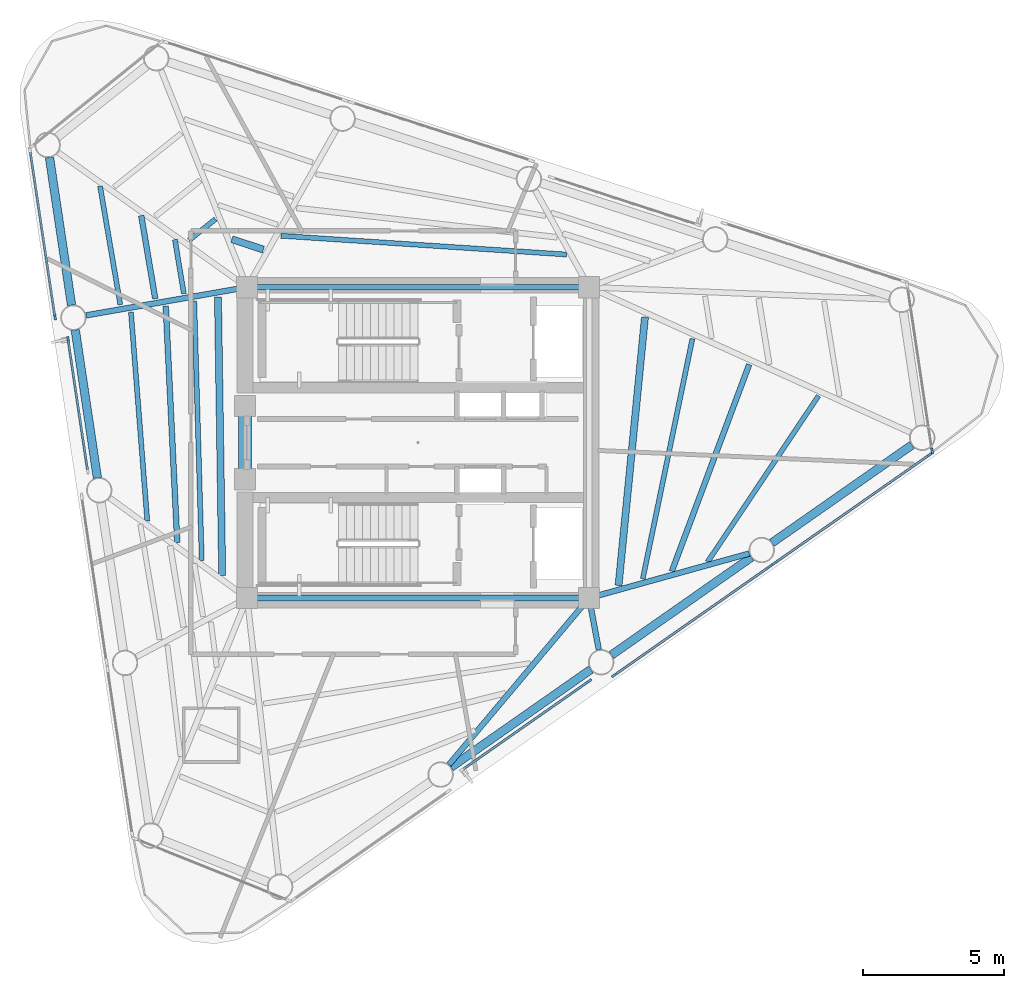
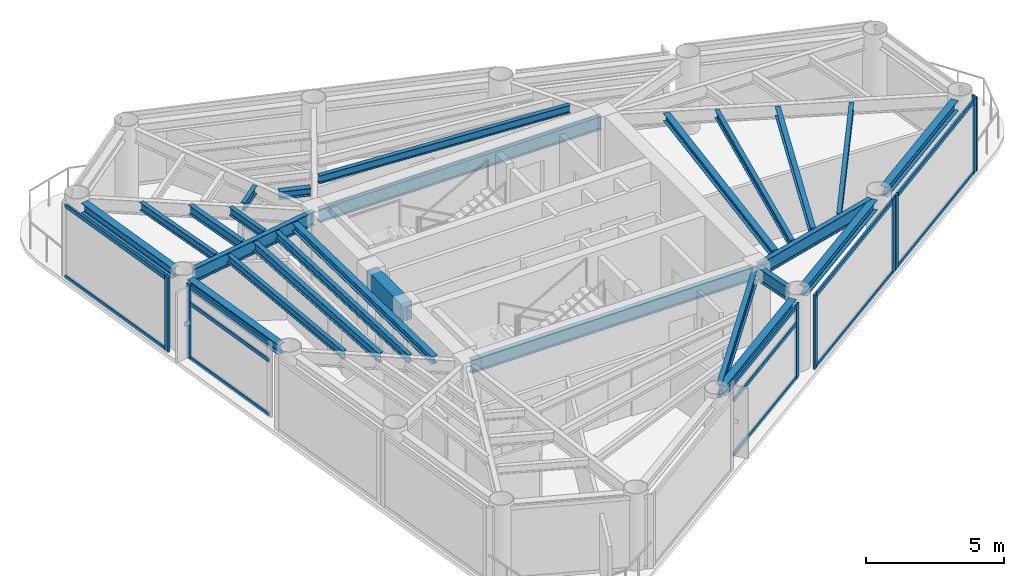
# One storey, part 2 of 9: 26 beams, 20 members, 6 elements without a shape of their own.
"""IFC4 building model written with IfcOpenShell, lengths in metres."""

from ifc_helpers import new_model, si_unit, direction, frame, origin, origin_2d, place, context, subcontext, project, spatial, rectangle, i_section, extrude, source, transform, mapped, material, layer, layer_set, material_profile, profile_set, type_object, element, aggregate, save


model = new_model("IFC4")

# Units and contexts
model_context = context("Model", 3, precision=1e-05, world=origin(), true_north=direction((0.0, 1.0)))
body_context = subcontext(model_context, "Body", "Model", "MODEL_VIEW")
ifc_project = project(units=[si_unit("LENGTHUNIT", "METRE"), si_unit("AREAUNIT", "SQUARE_METRE"), si_unit("VOLUMEUNIT", "CUBIC_METRE"), si_unit("PLANEANGLEUNIT", "RADIAN"), si_unit("MASSUNIT", "GRAM", prefix="KILO")], contexts=[model_context])

# Site, building, storey
site_placement = place(None, origin())
site = spatial("IfcSite", under=ifc_project, at=site_placement, CompositionType="ELEMENT")
building_placement = place(site_placement, origin())
building = spatial("IfcBuilding", under=site, at=building_placement, Name="Yunling Apex Tower", CompositionType="ELEMENT")
storey_placement = place(building_placement, frame((0.0, 0.0, 271.14990234375)))
storey = spatial("IfcBuildingStorey", under=building, at=storey_placement, Name="L66", CompositionType="ELEMENT", Elevation=271.14990234375)

# Beams
ifc_material_1 = material(Name="Concrete C40", Category="concrete")
ifc_material_profile_1 = material_profile(ifc_material_1, rectangle(XDim=0.449951171875, YDim=0.800048828125, at=origin_2d()))
ifc_profile_set_1 = profile_set([ifc_material_profile_1], Name="Concrete C40")
beam_type_1 = type_object("IfcBeamType", Name="BC-CPL-3", PredefinedType="BEAM", material=ifc_profile_set_1)
shared_shape_1 = source(origin(), body_context, "Body", "SweptSolid", [
    extrude(rectangle(XDim=0.449951171875, YDim=0.800048828125, at=origin_2d()), origin(), (0.0, 0.0, 1.0), 2.5),
])
beam_1_placement = place(storey_placement, frame((-6.125, -1.25, 2.820068359375), z_axis=(0.0, 1.0, 0.0), x_axis=(-1.0, 0.0, 0.0)))
element("IfcBeam", 1, at=beam_1_placement, inside=storey, type_object=beam_type_1, Name="L66 Core West Portal Coupling Beam", PredefinedType="BEAM", context=body_context, shape_type="MappedRepresentation", body=[
    mapped(shared_shape_1, transform((0.0, 0.0, 0.0), scale=1.0)),
])
ifc_material_2 = material(Name="Steel Q355B", Category="steel")
ifc_material_profile_2 = material_profile(ifc_material_2, i_section(OverallWidth=0.199951171875, OverallDepth=0.60009765625, WebThickness=0.010986328125, FlangeThickness=0.01708984375, FilletRadius=0.02197265625, at=origin_2d()))
ifc_profile_set_2 = profile_set([ifc_material_profile_2], Name="Steel Q355B")
beam_type_2 = type_object("IfcBeamType", Name="BG-PRI-5", PredefinedType="USERDEFINED", material=ifc_profile_set_2)
shared_shape_2 = source(origin(), body_context, "Body", "SweptSolid", [
    extrude(i_section(OverallWidth=0.199951171875, OverallDepth=0.60009765625, WebThickness=0.010986328125, FlangeThickness=0.01708984375, FilletRadius=0.02197265625, at=origin_2d()), origin(), (0.0, 0.0, 1.0), 11.7998046875),
])
for number, where, z_axis, x_axis, name in (
    (2, (-5.89990234375, -5.5, 2.920166015625), (1.0, 0.0, 0.0), (0.0, 1.0, 0.0), "L66 Core Ring Tie Beam 1"),
    (3, (5.89990234375, 5.5, 2.920166015625), (-1.0, 0.0, 0.0), (0.0, -1.0, 0.0), "L66 Core Ring Tie Beam 3"),
):
    element("IfcBeam", number, at=place(storey_placement, frame(where, z_axis=z_axis, x_axis=x_axis)), inside=storey, type_object=beam_type_2, Name=name, ObjectType="GIRDER", PredefinedType="USERDEFINED", context=body_context, shape_type="MappedRepresentation", body=[
        mapped(shared_shape_2, transform((0.0, 0.0, 0.0), scale=1.0)),
    ])
ifc_material_profile_3 = material_profile(ifc_material_2, i_section(OverallWidth=0.300048828125, OverallDepth=0.43994140625, WebThickness=0.010986328125, FlangeThickness=0.01806640625, FilletRadius=0.02197265625, at=origin_2d()))
ifc_profile_set_3 = profile_set([ifc_material_profile_3], Name="Steel Q355B")
beam_type_3 = type_object("IfcBeamType", Name="BP-SPN-3", PredefinedType="SPANDREL", material=ifc_profile_set_3)
shared_shape_3 = source(origin(), body_context, "Body", "SweptSolid", [
    extrude(i_section(OverallWidth=0.300048828125, OverallDepth=0.43994140625, WebThickness=0.010986328125, FlangeThickness=0.01806640625, FilletRadius=0.02197265625, at=origin_2d()), origin(), (0.0, 0.0, 1.0), 6.043701171875),
])
for number, where, z_axis, x_axis, name in (
    (4, (1.160888671875, -11.490478515625, 3.0), (0.819546828705, 0.5730122124, 0.0), (-0.5730122124, 0.819546828705, 0.0), "L66 Perimeter Spandrel Beam 2"),
    (5, (6.841796875, -7.5185546875, 3.0), (0.819546828705, 0.5730122124, 0.0), (-0.5730122124, 0.819546828705, 0.0), "L66 Perimeter Spandrel Beam 3"),
    (6, (12.522705078125, -3.546630859375, 3.0), (0.819546828705, 0.5730122124, 0.0), (-0.5730122124, 0.819546828705, 0.0), "L66 Perimeter Spandrel Beam 4"),
):
    element("IfcBeam", number, at=place(storey_placement, frame(where, z_axis=z_axis, x_axis=x_axis)), inside=storey, type_object=beam_type_3, Name=name, PredefinedType="SPANDREL", context=body_context, shape_type="MappedRepresentation", body=[
        mapped(shared_shape_3, transform((0.0, 0.0, 0.0), scale=1.0)),
    ])
shared_shape_4 = source(origin(), body_context, "Body", "SweptSolid", [
    extrude(i_section(OverallWidth=0.300048828125, OverallDepth=0.43994140625, WebThickness=0.010986328125, FlangeThickness=0.01806640625, FilletRadius=0.02197265625, at=origin_2d()), origin(), (0.0, 0.0, 1.0), 5.289306640625),
])
for number, where, z_axis, x_axis, name in (
    (7, (-13.044189453125, 10.09326171875, 3.0), (0.147841619944, -0.989011049186, 0.0), (0.989011049186, 0.147841619944, 0.0), "L66 Perimeter Spandrel Beam 11"),
    (8, (-12.131103515625, 3.98388671875, 3.0), (0.147796471114, -0.989017797174, 0.0), (0.989017797174, 0.147796471114, 0.0), "L66 Perimeter Spandrel Beam 12"),
):
    element("IfcBeam", number, at=place(storey_placement, frame(where, z_axis=z_axis, x_axis=x_axis)), inside=storey, type_object=beam_type_3, Name=name, PredefinedType="SPANDREL", context=body_context, shape_type="MappedRepresentation", body=[
        mapped(shared_shape_4, transform((0.0, 0.0, 0.0), scale=1.0)),
    ])
shared_shape_5 = source(origin(), body_context, "Body", "SweptSolid", [
    extrude(i_section(OverallWidth=0.199951171875, OverallDepth=0.60009765625, WebThickness=0.010986328125, FlangeThickness=0.01708984375, FilletRadius=0.02197265625, at=origin_2d()), origin(), (0.0, 0.0, 1.0), 7.622314453125),
])
beam_2_placement = place(storey_placement, frame((1.091796875, -11.394287109375, 2.920166015625), z_axis=(0.64373126237, 0.765251633025, 0.0), x_axis=(-0.765251633025, 0.64373126237, 0.0)))
element("IfcBeam", 9, at=beam_2_placement, inside=storey, type_object=beam_type_2, Name="L66 Radial Primary Girder R02", ObjectType="GIRDER", PredefinedType="USERDEFINED", context=body_context, shape_type="MappedRepresentation", body=[
    mapped(shared_shape_5, transform((0.0, 0.0, 0.0), scale=1.0)),
])
shared_shape_6 = source(origin(), body_context, "Body", "SweptSolid", [
    extrude(i_section(OverallWidth=0.199951171875, OverallDepth=0.60009765625, WebThickness=0.010986328125, FlangeThickness=0.01708984375, FilletRadius=0.02197265625, at=origin_2d()), origin(), (0.0, 0.0, 1.0), 1.775146484375),
])
beam_3_placement = place(storey_placement, frame((6.393310546875, -7.322998046875, 2.920166015625), z_axis=(-0.185127194989, 0.982714567754, 0.0), x_axis=(-0.982714567754, -0.185127194989, 0.0)))
element("IfcBeam", 10, at=beam_3_placement, inside=storey, type_object=beam_type_2, Name="L66 Radial Primary Girder R03", ObjectType="GIRDER", PredefinedType="USERDEFINED", context=body_context, shape_type="MappedRepresentation", body=[
    mapped(shared_shape_6, transform((0.0, 0.0, 0.0), scale=1.0)),
])
shared_shape_7 = source(origin(), body_context, "Body", "SweptSolid", [
    extrude(i_section(OverallWidth=0.199951171875, OverallDepth=0.60009765625, WebThickness=0.010986328125, FlangeThickness=0.01708984375, FilletRadius=0.02197265625, at=origin_2d()), origin(), (0.0, 0.0, 1.0), 5.802490234375),
])
beam_4_placement = place(storey_placement, frame((11.717529296875, -3.923828125, 2.920166015625), z_axis=(-0.963437091081, -0.267934640405, 0.0), x_axis=(0.267934640405, -0.963437091081, 0.0)))
element("IfcBeam", 11, at=beam_4_placement, inside=storey, type_object=beam_type_2, Name="L66 Radial Primary Girder R04", ObjectType="GIRDER", PredefinedType="USERDEFINED", context=body_context, shape_type="MappedRepresentation", body=[
    mapped(shared_shape_7, transform((0.0, 0.0, 0.0), scale=1.0)),
])
shared_shape_8 = source(origin(), body_context, "Body", "SweptSolid", [
    extrude(i_section(OverallWidth=0.199951171875, OverallDepth=0.60009765625, WebThickness=0.010986328125, FlangeThickness=0.01708984375, FilletRadius=0.02197265625, at=origin_2d()), origin(), (0.0, 0.0, 1.0), 5.7021484375),
])
beam_5_placement = place(storey_placement, frame((-11.74560546875, 4.501953125, 2.920166015625), z_axis=(0.984994459553, 0.172585963073, 0.0), x_axis=(-0.172585963073, 0.984994459553, 0.0)))
element("IfcBeam", 12, at=beam_5_placement, inside=storey, type_object=beam_type_2, Name="L66 Radial Primary Girder R12", ObjectType="GIRDER", PredefinedType="USERDEFINED", context=body_context, shape_type="MappedRepresentation", body=[
    mapped(shared_shape_8, transform((0.0, 0.0, 0.0), scale=1.0)),
])
ifc_material_profile_4 = material_profile(ifc_material_2, i_section(OverallWidth=0.199951171875, OverallDepth=0.39990234375, WebThickness=0.008056640625, FlangeThickness=0.012939453125, FilletRadius=0.01611328125, at=origin_2d()))
ifc_profile_set_4 = profile_set([ifc_material_profile_4], Name="Steel Q355B")
beam_type_4 = type_object("IfcBeamType", Name="BS-SEC-4", PredefinedType="BEAM", material=ifc_profile_set_4)
shared_shape_9 = source(origin(), body_context, "Body", "SweptSolid", [
    extrude(i_section(OverallWidth=0.199951171875, OverallDepth=0.39990234375, WebThickness=0.008056640625, FlangeThickness=0.012939453125, FilletRadius=0.01611328125, at=origin_2d()), origin(), (0.0, 0.0, 1.0), 7.810546875),
])
beam_6_placement = place(storey_placement, frame((8.978515625, -4.551513671875, 3.02001953125), z_axis=(0.350554744198, 0.936542242144, 0.0), x_axis=(-0.936542242144, 0.350554744198, 0.0)))
element("IfcBeam", 13, at=beam_6_placement, inside=storey, type_object=beam_type_4, Name="L66 Composite Floor Beam BS-4", PredefinedType="BEAM", context=body_context, shape_type="MappedRepresentation", body=[
    mapped(shared_shape_9, transform((0.0, 0.0, 0.0), scale=1.0)),
])
ifc_material_profile_5 = material_profile(ifc_material_2, i_section(OverallWidth=0.175048828125, OverallDepth=0.35009765625, WebThickness=0.007080078125, FlangeThickness=0.010986328125, FilletRadius=0.013916015625, at=origin_2d()))
ifc_profile_set_5 = profile_set([ifc_material_profile_5], Name="Steel Q355B")
beam_type_5 = type_object("IfcBeamType", Name="BJ-JST-1", PredefinedType="JOIST", material=ifc_profile_set_5)
shared_shape_10 = source(origin(), body_context, "Body", "SweptSolid", [
    extrude(i_section(OverallWidth=0.175048828125, OverallDepth=0.35009765625, WebThickness=0.007080078125, FlangeThickness=0.010986328125, FilletRadius=0.013916015625, at=origin_2d()), origin(), (0.0, 0.0, 1.0), 7.07373046875),
])
beam_7_placement = place(storey_placement, frame((10.240966796875, -4.22607421875, 3.045166015625), z_axis=(0.555384960756, 0.831593377418, 0.0), x_axis=(-0.831593377418, 0.555384960756, 0.0)))
element("IfcBeam", 14, at=beam_7_placement, inside=storey, type_object=beam_type_5, Name="L66 Composite Floor Joist BJ1-4", PredefinedType="JOIST", context=body_context, shape_type="MappedRepresentation", body=[
    mapped(shared_shape_10, transform((0.0, 0.0, 0.0), scale=1.0)),
])
shared_shape_11 = source(origin(), body_context, "Body", "SweptSolid", [
    extrude(i_section(OverallWidth=0.175048828125, OverallDepth=0.35009765625, WebThickness=0.007080078125, FlangeThickness=0.010986328125, FilletRadius=0.013916015625, at=origin_2d()), origin(), (0.0, 0.0, 1.0), 8.68017578125),
])
beam_8_placement = place(storey_placement, frame((7.948486328125, -4.824462890625, 3.045166015625), z_axis=(0.202510736311, 0.97928004252, 0.0), x_axis=(-0.97928004252, 0.202510736311, 0.0)))
element("IfcBeam", 15, at=beam_8_placement, inside=storey, type_object=beam_type_5, Name="L66 Composite Floor Joist BJ3-4", PredefinedType="JOIST", context=body_context, shape_type="MappedRepresentation", body=[
    mapped(shared_shape_11, transform((0.0, 0.0, 0.0), scale=1.0)),
])
ifc_material_profile_6 = material_profile(ifc_material_2, i_section(OverallWidth=0.25, OverallDepth=0.340087890625, WebThickness=0.009033203125, FlangeThickness=0.013916015625, FilletRadius=0.01806640625, at=origin_2d()))
ifc_profile_set_6 = profile_set([ifc_material_profile_6], Name="Steel Q355B")
beam_type_6 = type_object("IfcBeamType", Name="BJ-JST-2", PredefinedType="JOIST", material=ifc_profile_set_6)
shared_shape_12 = source(origin(), body_context, "Body", "SweptSolid", [
    extrude(i_section(OverallWidth=0.25, OverallDepth=0.340087890625, WebThickness=0.009033203125, FlangeThickness=0.013916015625, FilletRadius=0.01806640625, at=origin_2d()), origin(), (0.0, 0.0, 1.0), 9.54052734375),
])
beam_9_placement = place(storey_placement, frame((7.093017578125, -5.05517578125, 3.050048828125), z_axis=(0.098008759691, 0.995185552057, 0.0), x_axis=(-0.995185552057, 0.098008759691, 0.0)))
element("IfcBeam", 16, at=beam_9_placement, inside=storey, type_object=beam_type_6, Name="L66 Composite Floor Joist BJ2-4", PredefinedType="JOIST", context=body_context, shape_type="MappedRepresentation", body=[
    mapped(shared_shape_12, transform((0.0, 0.0, 0.0), scale=1.0)),
])
shared_shape_13 = source(origin(), body_context, "Body", "SweptSolid", [
    extrude(i_section(OverallWidth=0.175048828125, OverallDepth=0.35009765625, WebThickness=0.007080078125, FlangeThickness=0.010986328125, FilletRadius=0.013916015625, at=origin_2d()), origin(), (0.0, 0.0, 1.0), 10.130615234375),
])
beam_10_placement = place(storey_placement, frame((5.254150390625, 6.654541015625, 3.045166015625), z_axis=(-0.997852458327, 0.065501690135, 0.0), x_axis=(-0.065501690135, -0.997852458327, 0.0)))
element("IfcBeam", 17, at=beam_10_placement, inside=storey, type_object=beam_type_5, Name="L66 Composite Floor Joist BJ3-8", PredefinedType="JOIST", context=body_context, shape_type="MappedRepresentation", body=[
    mapped(shared_shape_13, transform((0.0, 0.0, 0.0), scale=1.0)),
])
shared_shape_14 = source(origin(), body_context, "Body", "SweptSolid", [
    extrude(i_section(OverallWidth=0.25, OverallDepth=0.340087890625, WebThickness=0.009033203125, FlangeThickness=0.013916015625, FilletRadius=0.01806640625, at=origin_2d()), origin(), (0.0, 0.0, 1.0), 1.1728515625),
])
beam_11_placement = place(storey_placement, frame((-5.4775390625, 6.8291015625, 3.050048828125), z_axis=(-0.949595193506, 0.31347881662, 0.0), x_axis=(-0.31347881662, -0.949595193506, 0.0)))
element("IfcBeam", 18, at=beam_11_placement, inside=storey, type_object=beam_type_6, Name="L66 Composite Floor Joist BJ2-9", PredefinedType="JOIST", context=body_context, shape_type="MappedRepresentation", body=[
    mapped(shared_shape_14, transform((0.0, 0.0, 0.0), scale=1.0)),
])
shared_shape_15 = source(origin(), body_context, "Body", "SweptSolid", [
    extrude(i_section(OverallWidth=0.175048828125, OverallDepth=0.35009765625, WebThickness=0.007080078125, FlangeThickness=0.010986328125, FilletRadius=0.013916015625, at=origin_2d()), origin(), (0.0, 0.0, 1.0), 1.2021484375),
])
beam_12_placement = place(storey_placement, frame((-7.169921875, 7.9072265625, 3.045166015625), z_axis=(-0.781225299788, -0.624249173785, 0.0), x_axis=(0.624249173785, -0.781225299788, 0.0)))
element("IfcBeam", 19, at=beam_12_placement, inside=storey, type_object=beam_type_5, Name="L66 Composite Floor Joist BJ3-10", PredefinedType="JOIST", context=body_context, shape_type="MappedRepresentation", body=[
    mapped(shared_shape_15, transform((0.0, 0.0, 0.0), scale=1.0)),
])
shared_shape_16 = source(origin(), body_context, "Body", "SweptSolid", [
    extrude(i_section(OverallWidth=0.199951171875, OverallDepth=0.39990234375, WebThickness=0.008056640625, FlangeThickness=0.012939453125, FilletRadius=0.01611328125, at=origin_2d()), origin(), (0.0, 0.0, 1.0), 2.980712890625),
])
beam_13_placement = place(storey_placement, frame((-9.796630859375, 8.031982421875, 3.02001953125), z_axis=(0.166351127682, -0.986066581078, 0.0), x_axis=(0.986066581078, 0.166351127682, 0.0)))
element("IfcBeam", 20, at=beam_13_placement, inside=storey, type_object=beam_type_4, Name="L66 Composite Floor Beam BS-11", PredefinedType="BEAM", context=body_context, shape_type="MappedRepresentation", body=[
    mapped(shared_shape_16, transform((0.0, 0.0, 0.0), scale=1.0)),
])
shared_shape_17 = source(origin(), body_context, "Body", "SweptSolid", [
    extrude(i_section(OverallWidth=0.175048828125, OverallDepth=0.35009765625, WebThickness=0.007080078125, FlangeThickness=0.010986328125, FilletRadius=0.013916015625, at=origin_2d()), origin(), (0.0, 0.0, 1.0), 4.2548828125),
])
beam_14_placement = place(storey_placement, frame((-11.253173828125, 9.0703125, 3.045166015625), z_axis=(0.168352217176, -0.985726904864, 0.0), x_axis=(0.985726904864, 0.168352217176, 0.0)))
element("IfcBeam", 21, at=beam_14_placement, inside=storey, type_object=beam_type_5, Name="L66 Composite Floor Joist BJ1-11", PredefinedType="JOIST", context=body_context, shape_type="MappedRepresentation", body=[
    mapped(shared_shape_17, transform((0.0, 0.0, 0.0), scale=1.0)),
])
shared_shape_18 = source(origin(), body_context, "Body", "SweptSolid", [
    extrude(i_section(OverallWidth=0.175048828125, OverallDepth=0.35009765625, WebThickness=0.007080078125, FlangeThickness=0.010986328125, FilletRadius=0.013916015625, at=origin_2d()), origin(), (0.0, 0.0, 1.0), 1.93798828125),
])
beam_15_placement = place(storey_placement, frame((-8.605224609375, 7.18212890625, 3.045166015625), z_axis=(0.163009711077, -0.986624464573, 0.0), x_axis=(0.986624464573, 0.163009711077, 0.0)))
element("IfcBeam", 22, at=beam_15_placement, inside=storey, type_object=beam_type_5, Name="L66 Composite Floor Joist BJ3-11", PredefinedType="JOIST", context=body_context, shape_type="MappedRepresentation", body=[
    mapped(shared_shape_18, transform((0.0, 0.0, 0.0), scale=1.0)),
])
shared_shape_19 = source(origin(), body_context, "Body", "SweptSolid", [
    extrude(i_section(OverallWidth=0.199951171875, OverallDepth=0.39990234375, WebThickness=0.008056640625, FlangeThickness=0.012939453125, FilletRadius=0.01611328125, at=origin_2d()), origin(), (0.0, 0.0, 1.0), 8.388916015625),
])
beam_16_placement = place(storey_placement, frame((-8.929443359375, 4.834228515625, 3.02001953125), z_axis=(0.048573134041, -0.998819628687, 0.0), x_axis=(0.998819628687, 0.048573134041, 0.0)))
element("IfcBeam", 23, at=beam_16_placement, inside=storey, type_object=beam_type_4, Name="L66 Composite Floor Beam BS-12", PredefinedType="BEAM", context=body_context, shape_type="MappedRepresentation", body=[
    mapped(shared_shape_19, transform((0.0, 0.0, 0.0), scale=1.0)),
])
shared_shape_20 = source(origin(), body_context, "Body", "SweptSolid", [
    extrude(i_section(OverallWidth=0.175048828125, OverallDepth=0.35009765625, WebThickness=0.007080078125, FlangeThickness=0.010986328125, FilletRadius=0.013916015625, at=origin_2d()), origin(), (0.0, 0.0, 1.0), 7.416259765625),
])
beam_17_placement = place(storey_placement, frame((-10.160400390625, 4.6181640625, 3.045166015625), z_axis=(0.077952594819, -0.996957066759, 0.0), x_axis=(0.996957066759, 0.077952594819, 0.0)))
element("IfcBeam", 24, at=beam_17_placement, inside=storey, type_object=beam_type_5, Name="L66 Composite Floor Joist BJ1-12", PredefinedType="JOIST", context=body_context, shape_type="MappedRepresentation", body=[
    mapped(shared_shape_20, transform((0.0, 0.0, 0.0), scale=1.0)),
])
shared_shape_21 = source(origin(), body_context, "Body", "SweptSolid", [
    extrude(i_section(OverallWidth=0.175048828125, OverallDepth=0.35009765625, WebThickness=0.007080078125, FlangeThickness=0.010986328125, FilletRadius=0.013916015625, at=origin_2d()), origin(), (0.0, 0.0, 1.0), 9.189208984375),
])
beam_18_placement = place(storey_placement, frame((-7.92138671875, 5.01123046875, 3.045166015625), z_axis=(0.028986034605, -0.999579816622, 0.0), x_axis=(0.999579816622, 0.028986034605, 0.0)))
element("IfcBeam", 25, at=beam_18_placement, inside=storey, type_object=beam_type_5, Name="L66 Composite Floor Joist BJ3-12", PredefinedType="JOIST", context=body_context, shape_type="MappedRepresentation", body=[
    mapped(shared_shape_21, transform((0.0, 0.0, 0.0), scale=1.0)),
])
shared_shape_22 = source(origin(), body_context, "Body", "SweptSolid", [
    extrude(i_section(OverallWidth=0.25, OverallDepth=0.340087890625, WebThickness=0.009033203125, FlangeThickness=0.013916015625, FilletRadius=0.01806640625, at=origin_2d()), origin(), (0.0, 0.0, 1.0), 9.858642578125),
])
beam_19_placement = place(storey_placement, frame((-7.081298828125, 5.158935546875, 3.050048828125), z_axis=(0.015056743551, -0.999886640812, 0.0), x_axis=(0.999886640812, 0.015056743551, 0.0)))
element("IfcBeam", 26, at=beam_19_placement, inside=storey, type_object=beam_type_6, Name="L66 Composite Floor Joist BJ2-12", PredefinedType="JOIST", context=body_context, shape_type="MappedRepresentation", body=[
    mapped(shared_shape_22, transform((0.0, 0.0, 0.0), scale=1.0)),
])

# Curtain wall, member
ifc_material_3 = material(Name="Bronze anodised aluminium", Category="aluminium")
ifc_layer = layer(ifc_material_3, 0.219970703125)
ifc_layer_set = layer_set([ifc_layer], Name="Bronze anodised aluminium")
curtain_wall_type = type_object("IfcCurtainWallType", Name="CW-SYS-4", PredefinedType="NOTDEFINED", material=ifc_layer_set)
curtain_wall_1_placement = place(storey_placement, origin())
curtain_wall_1 = element("IfcCurtainWall", 27, at=curtain_wall_1_placement, inside=storey, type_object=curtain_wall_type, Name="CW-L66-F1-B2", PredefinedType="NOTDEFINED")
ifc_material_profile_7 = material_profile(ifc_material_3, rectangle(XDim=0.080078125, YDim=0.219970703125, at=origin_2d()))
ifc_profile_set_7 = profile_set([ifc_material_profile_7], Name="Bronze anodised aluminium")
member_type_1 = type_object("IfcMemberType", Name="CW-MUL-4", PredefinedType="MULLION", material=ifc_profile_set_7)
shared_shape_23 = source(origin(), body_context, "Body", "SweptSolid", [
    extrude(rectangle(XDim=0.080078125, YDim=0.219970703125, at=origin_2d()), origin(), (0.0, 0.0, 1.0), 3.31982421875),
])
member_1_placement = place(storey_placement, frame((6.04345703125, -8.44287109375, -0.0498046875), z_axis=(0.0, 0.0, 1.0), x_axis=(-0.57299879219, 0.819556211708, 0.0)))
member_1 = element("IfcMember", 28, at=member_1_placement, type_object=member_type_1, Name="CW-SYS-4 mullion 2", PredefinedType="MULLION", context=body_context, shape_type="MappedRepresentation", body=[
    mapped(shared_shape_23, transform((0.0, 0.0, 0.0), scale=1.0)),
])

# Curtain wall, members
curtain_wall_2_placement = place(storey_placement, origin())
curtain_wall_2 = element("IfcCurtainWall", 29, at=curtain_wall_2_placement, inside=storey, type_object=curtain_wall_type, Name="CW-L66-F1-B3", PredefinedType="NOTDEFINED")
member_2_placement = place(storey_placement, frame((6.94287109375, -8.228759765625, -0.0498046875), z_axis=(0.0, 0.0, 1.0), x_axis=(-0.573010322379, 0.81954815017, 0.0)))
member_2 = element("IfcMember", 30, at=member_2_placement, type_object=member_type_1, Name="CW-SYS-4 mullion 1", PredefinedType="MULLION", context=body_context, shape_type="MappedRepresentation", body=[
    mapped(shared_shape_23, transform((0.0, 0.0, 0.0), scale=1.0)),
])
member_3_placement = place(storey_placement, frame((12.42724609375, -4.394287109375, -0.0498046875), z_axis=(0.0, 0.0, 1.0), x_axis=(-0.573010322379, 0.81954815017, 0.0)))
member_3 = element("IfcMember", 31, at=member_3_placement, type_object=member_type_1, Name="CW-SYS-4 mullion 2", PredefinedType="MULLION", context=body_context, shape_type="MappedRepresentation", body=[
    mapped(shared_shape_23, transform((0.0, 0.0, 0.0), scale=1.0)),
])

curtain_wall_3_placement = place(storey_placement, origin())
curtain_wall_3 = element("IfcCurtainWall", 32, at=curtain_wall_3_placement, inside=storey, type_object=curtain_wall_type, Name="CW-L66-F1-B4", PredefinedType="NOTDEFINED")
member_4_placement = place(storey_placement, frame((12.623779296875, -4.2568359375, -0.0498046875), z_axis=(0.0, 0.0, 1.0), x_axis=(-0.573000403744, 0.819555084976, 0.0)))
member_4 = element("IfcMember", 33, at=member_4_placement, type_object=member_type_1, Name="CW-SYS-4 mullion 1", PredefinedType="MULLION", context=body_context, shape_type="MappedRepresentation", body=[
    mapped(shared_shape_23, transform((0.0, 0.0, 0.0), scale=1.0)),
])
member_5_placement = place(storey_placement, frame((18.108154296875, -0.42236328125, -0.0498046875), z_axis=(0.0, 0.0, 1.0), x_axis=(-0.573000403744, 0.819555084976, 0.0)))
member_5 = element("IfcMember", 34, at=member_5_placement, type_object=member_type_1, Name="CW-SYS-4 mullion 2", PredefinedType="MULLION", context=body_context, shape_type="MappedRepresentation", body=[
    mapped(shared_shape_23, transform((0.0, 0.0, 0.0), scale=1.0)),
])

# Curtain wall, member
curtain_wall_4_placement = place(storey_placement, origin())
curtain_wall_4 = element("IfcCurtainWall", 35, at=curtain_wall_4_placement, inside=storey, type_object=curtain_wall_type, Name="CW-L66-CRN1", PredefinedType="NOTDEFINED")
member_6_placement = place(storey_placement, frame((18.189208984375, -0.2978515625, -0.0498046875), z_axis=(0.0, 0.0, 1.0), x_axis=(-0.989016885218, -0.147802573571, 0.0)))
member_6 = element("IfcMember", 36, at=member_6_placement, type_object=member_type_1, Name="CW-SYS-4 mullion 1", PredefinedType="MULLION", context=body_context, shape_type="MappedRepresentation", body=[
    mapped(shared_shape_23, transform((0.0, 0.0, 0.0), scale=1.0)),
])
aggregate(curtain_wall_4, [member_6])

curtain_wall_5_placement = place(storey_placement, origin())
curtain_wall_5 = element("IfcCurtainWall", 37, at=curtain_wall_5_placement, inside=storey, type_object=curtain_wall_type, Name="CW-L66-F3-B1", PredefinedType="NOTDEFINED")
member_7_placement = place(storey_placement, frame((-12.847412109375, 4.447265625, -0.0498046875), z_axis=(0.0, 0.0, 1.0), x_axis=(0.989016174309, 0.147807330522, 0.0)))
member_7 = element("IfcMember", 38, at=member_7_placement, type_object=member_type_1, Name="CW-SYS-4 mullion 2", PredefinedType="MULLION", context=body_context, shape_type="MappedRepresentation", body=[
    mapped(shared_shape_23, transform((0.0, 0.0, 0.0), scale=1.0)),
])

curtain_wall_6_placement = place(storey_placement, origin())
curtain_wall_6 = element("IfcCurtainWall", 39, at=curtain_wall_6_placement, inside=storey, type_object=curtain_wall_type, Name="CW-L66-F3-B2", PredefinedType="NOTDEFINED")
member_8_placement = place(storey_placement, frame((-12.384033203125, 3.646728515625, -0.0498046875), z_axis=(0.0, 0.0, 1.0), x_axis=(0.989016661745, 0.147804068926, 0.0)))
member_8 = element("IfcMember", 40, at=member_8_placement, type_object=member_type_1, Name="CW-SYS-4 mullion 1", PredefinedType="MULLION", context=body_context, shape_type="MappedRepresentation", body=[
    mapped(shared_shape_23, transform((0.0, 0.0, 0.0), scale=1.0)),
])

# Member
ifc_material_profile_8 = material_profile(ifc_material_3, rectangle(XDim=0.080078125, YDim=0.169921875, at=origin_2d()))
ifc_profile_set_8 = profile_set([ifc_material_profile_8], Name="Bronze anodised aluminium")
member_type_2 = type_object("IfcMemberType", Name="CW-TRN-4", PredefinedType="USERDEFINED", material=ifc_profile_set_8)
shared_shape_24 = source(origin(), body_context, "Body", "SweptSolid", [
    extrude(rectangle(XDim=0.080078125, YDim=0.169921875, at=origin_2d()), origin(), (0.0, 0.0, 1.0), 6.61962890625),
])
member_9_placement = place(storey_placement, frame((12.6533203125, -4.236083984375, 0.0400390625), z_axis=(0.819567916002, 0.572982051255, 0.0), x_axis=(-0.572982051255, 0.819567916002, 0.0)))
member_9 = element("IfcMember", 41, at=member_9_placement, type_object=member_type_2, Name="CW-SYS-4 transom 1.1", ObjectType="TRANSOM", PredefinedType="USERDEFINED", context=body_context, shape_type="MappedRepresentation", body=[
    mapped(shared_shape_24, transform((0.0, 0.0, 0.0), scale=1.0)),
])

member_10_placement = place(storey_placement, frame((12.6533203125, -4.236083984375, 3.18017578125), z_axis=(0.819567916002, 0.572982051255, 0.0), x_axis=(-0.572982051255, 0.819567916002, 0.0)))
member_10 = element("IfcMember", 42, at=member_10_placement, type_object=member_type_2, Name="CW-SYS-4 transom 1.2", ObjectType="TRANSOM", PredefinedType="USERDEFINED", context=body_context, shape_type="MappedRepresentation", body=[
    mapped(shared_shape_24, transform((0.0, 0.0, 0.0), scale=1.0)),
])

aggregate(curtain_wall_3, [member_4, member_5, member_9, member_10])

shared_shape_25 = source(origin(), body_context, "Body", "SweptSolid", [
    extrude(rectangle(XDim=0.080078125, YDim=0.169921875, at=origin_2d()), origin(), (0.0, 0.0, 1.0), 5.379638671875),
])
member_11_placement = place(storey_placement, frame((1.60498046875, -11.546142578125, 0.0400390625), z_axis=(0.819557991913, 0.572996245966, 0.0), x_axis=(-0.572996245966, 0.819557991913, 0.0)))
member_11 = element("IfcMember", 43, at=member_11_placement, type_object=member_type_2, Name="CW-SYS-4 transom 1.1", ObjectType="TRANSOM", PredefinedType="USERDEFINED", context=body_context, shape_type="MappedRepresentation", body=[
    mapped(shared_shape_25, transform((0.0, 0.0, 0.0), scale=1.0)),
])

member_12_placement = place(storey_placement, frame((1.60498046875, -11.546142578125, 2.447265625), z_axis=(0.819557991913, 0.572996245966, 0.0), x_axis=(-0.572996245966, 0.819557991913, 0.0)))
member_12 = element("IfcMember", 44, at=member_12_placement, type_object=member_type_2, Name="CW-SYS-4 transom 1.2", ObjectType="TRANSOM", PredefinedType="USERDEFINED", context=body_context, shape_type="MappedRepresentation", body=[
    mapped(shared_shape_25, transform((0.0, 0.0, 0.0), scale=1.0)),
])

member_13_placement = place(storey_placement, frame((1.60498046875, -11.546142578125, 3.18017578125), z_axis=(0.819557991913, 0.572996245966, 0.0), x_axis=(-0.572996245966, 0.819557991913, 0.0)))
member_13 = element("IfcMember", 45, at=member_13_placement, type_object=member_type_2, Name="CW-SYS-4 transom 1.3", ObjectType="TRANSOM", PredefinedType="USERDEFINED", context=body_context, shape_type="MappedRepresentation", body=[
    mapped(shared_shape_25, transform((0.0, 0.0, 0.0), scale=1.0)),
])

aggregate(curtain_wall_1, [member_1, member_11, member_12, member_13])

shared_shape_26 = source(origin(), body_context, "Body", "SweptSolid", [
    extrude(rectangle(XDim=0.080078125, YDim=0.169921875, at=origin_2d()), origin(), (0.0, 0.0, 1.0), 6.619873046875),
])
member_14_placement = place(storey_placement, frame((6.972412109375, -8.208251953125, 0.0400390625), z_axis=(0.819550596795, 0.573006823077, 0.0), x_axis=(-0.573006823077, 0.819550596795, 0.0)))
member_14 = element("IfcMember", 46, at=member_14_placement, type_object=member_type_2, Name="CW-SYS-4 transom 1.1", ObjectType="TRANSOM", PredefinedType="USERDEFINED", context=body_context, shape_type="MappedRepresentation", body=[
    mapped(shared_shape_26, transform((0.0, 0.0, 0.0), scale=1.0)),
])

member_15_placement = place(storey_placement, frame((6.972412109375, -8.208251953125, 3.18017578125), z_axis=(0.819550596795, 0.573006823077, 0.0), x_axis=(-0.573006823077, 0.819550596795, 0.0)))
member_15 = element("IfcMember", 47, at=member_15_placement, type_object=member_type_2, Name="CW-SYS-4 transom 1.2", ObjectType="TRANSOM", PredefinedType="USERDEFINED", context=body_context, shape_type="MappedRepresentation", body=[
    mapped(shared_shape_26, transform((0.0, 0.0, 0.0), scale=1.0)),
])

aggregate(curtain_wall_2, [member_2, member_3, member_14, member_15])

shared_shape_27 = source(origin(), body_context, "Body", "SweptSolid", [
    extrude(rectangle(XDim=0.080078125, YDim=0.169921875, at=origin_2d()), origin(), (0.0, 0.0, 1.0), 5.865478515625),
])
member_16_placement = place(storey_placement, frame((-13.7197265625, 10.28369140625, 0.0400390625), z_axis=(0.147805126247, -0.989016503732, 0.0), x_axis=(0.989016503732, 0.147805126247, 0.0)))
member_16 = element("IfcMember", 48, at=member_16_placement, type_object=member_type_2, Name="CW-SYS-4 transom 1.1", ObjectType="TRANSOM", PredefinedType="USERDEFINED", context=body_context, shape_type="MappedRepresentation", body=[
    mapped(shared_shape_27, transform((0.0, 0.0, 0.0), scale=1.0)),
])

member_17_placement = place(storey_placement, frame((-13.7197265625, 10.28369140625, 3.18017578125), z_axis=(0.147805126247, -0.989016503732, 0.0), x_axis=(0.989016503732, 0.147805126247, 0.0)))
member_17 = element("IfcMember", 49, at=member_17_placement, type_object=member_type_2, Name="CW-SYS-4 transom 1.2", ObjectType="TRANSOM", PredefinedType="USERDEFINED", context=body_context, shape_type="MappedRepresentation", body=[
    mapped(shared_shape_27, transform((0.0, 0.0, 0.0), scale=1.0)),
])

aggregate(curtain_wall_5, [member_7, member_16, member_17])

shared_shape_28 = source(origin(), body_context, "Body", "SweptSolid", [
    extrude(rectangle(XDim=0.080078125, YDim=0.169921875, at=origin_2d()), origin(), (0.0, 0.0, 1.0), 4.625244140625),
])
member_18_placement = place(storey_placement, frame((-12.378662109375, 3.611328125, 0.0400390625), z_axis=(0.147795810874, -0.989017895838, 0.0), x_axis=(0.989017895838, 0.147795810874, 0.0)))
member_18 = element("IfcMember", 50, at=member_18_placement, type_object=member_type_2, Name="CW-SYS-4 transom 1.1", ObjectType="TRANSOM", PredefinedType="USERDEFINED", context=body_context, shape_type="MappedRepresentation", body=[
    mapped(shared_shape_28, transform((0.0, 0.0, 0.0), scale=1.0)),
])

member_19_placement = place(storey_placement, frame((-12.378662109375, 3.611328125, 2.447265625), z_axis=(0.147795810874, -0.989017895838, 0.0), x_axis=(0.989017895838, 0.147795810874, 0.0)))
member_19 = element("IfcMember", 51, at=member_19_placement, type_object=member_type_2, Name="CW-SYS-4 transom 1.2", ObjectType="TRANSOM", PredefinedType="USERDEFINED", context=body_context, shape_type="MappedRepresentation", body=[
    mapped(shared_shape_28, transform((0.0, 0.0, 0.0), scale=1.0)),
])

member_20_placement = place(storey_placement, frame((-12.378662109375, 3.611328125, 3.18017578125), z_axis=(0.147795810874, -0.989017895838, 0.0), x_axis=(0.989017895838, 0.147795810874, 0.0)))
member_20 = element("IfcMember", 52, at=member_20_placement, type_object=member_type_2, Name="CW-SYS-4 transom 1.3", ObjectType="TRANSOM", PredefinedType="USERDEFINED", context=body_context, shape_type="MappedRepresentation", body=[
    mapped(shared_shape_28, transform((0.0, 0.0, 0.0), scale=1.0)),
])

aggregate(curtain_wall_6, [member_8, member_18, member_19, member_20])

save(model, "model.ifc")
